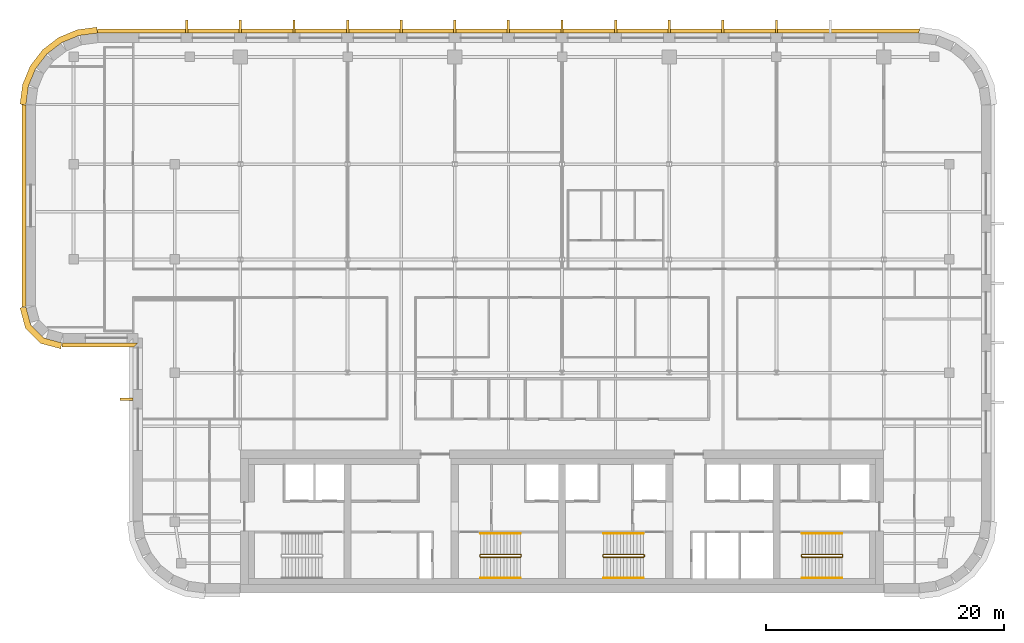
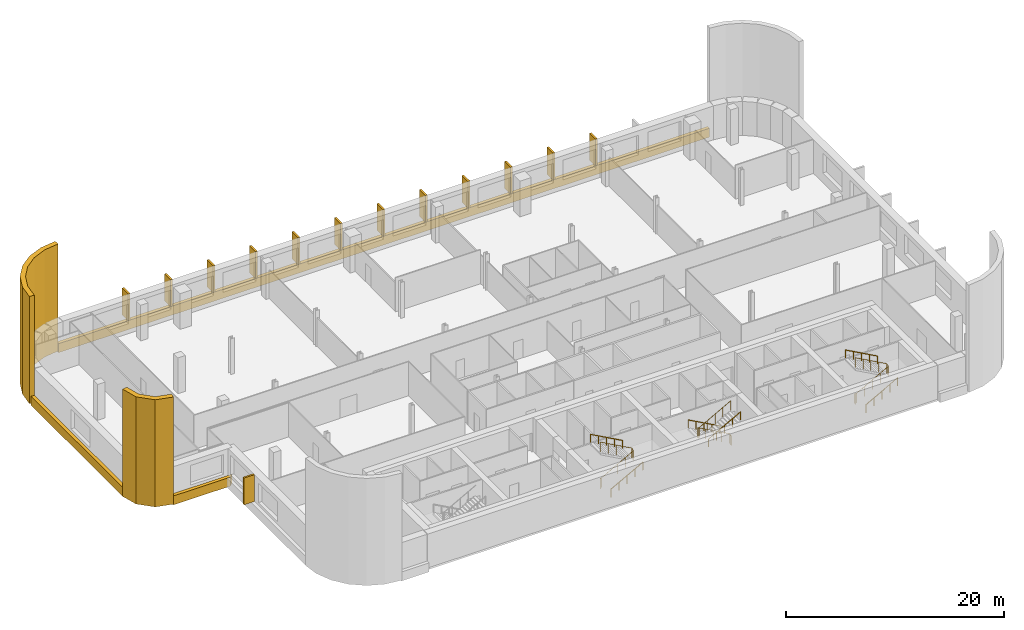
# One storey, part 14 of 16: 18 coverings, 9 railings.
"""IFC4 building model written with IfcOpenShell, lengths in metres."""

from ifc_helpers import new_model, si_unit, direction, frame, origin, origin_2d, place, context, subcontext, project, spatial, polyline, circle, outline, extrude, material, layer, layer_set, type_object, element, save


model = new_model("IFC4")

# Units and contexts
model_context = context("Model", 3, precision=1e-05, world=origin(), true_north=direction((0.0, 1.0)))
body_context = subcontext(model_context, "Body", "Model", "MODEL_VIEW")
ifc_project = project(units=[si_unit("LENGTHUNIT", "METRE"), si_unit("AREAUNIT", "SQUARE_METRE"), si_unit("VOLUMEUNIT", "CUBIC_METRE"), si_unit("PLANEANGLEUNIT", "RADIAN"), si_unit("MASSUNIT", "GRAM", prefix="KILO")], contexts=[model_context])

# Site, building, storey
site_placement = place(None, origin())
site = spatial("IfcSite", under=ifc_project, at=site_placement, CompositionType="ELEMENT")
building_placement = place(site_placement, origin())
building = spatial("IfcBuilding", under=site, at=building_placement, Name="Zellij Exchange Tower", CompositionType="ELEMENT")
storey_placement = place(building_placement, frame((0.0, 0.0, 244.5)))
storey = spatial("IfcBuildingStorey", under=building, at=storey_placement, Name="L57", CompositionType="ELEMENT", Elevation=244.5)

# Railings
ifc_material_1 = material(Name="Stainless steel", Category="steel")
railing_type_1 = type_object("IfcRailingType", Name="CORE-RG stair guard", PredefinedType="GUARDRAIL", material=ifc_material_1)
railing_1_placement = place(storey_placement, frame((-6.89990234375, -10.949951171875, 0.0)))
element("IfcRailing", 1, at=railing_1_placement, inside=storey, type_object=railing_type_1, Name="ST2 stair guard L57", PredefinedType="GUARDRAIL", context=body_context, shape_type="SweptSolid", body=[
    extrude(circle(Radius=0.02392578125, at=origin_2d()), frame((0.0, 0.0, 1.076171875), z_axis=(0.0, 1.0, 0.0), x_axis=(-1.0, 0.0, 0.0)), (0.0, 0.0, 1.0), 0.14990234375),
    extrude(circle(Radius=0.02392578125, at=origin_2d()), frame((0.0, 0.14990234375, 1.076171875), z_axis=(0.193691321961, -0.777613689637, 0.598164376644), x_axis=(0.970351222016, 0.241699205484, 0.0)), (0.0, 0.0, 1.0), 0.257080078125),
    extrude(circle(Radius=0.02392578125, at=origin_2d()), frame((0.0498046875, -0.050048828125, 1.22998046875), z_axis=(0.876421534553, 0.0, 0.481544695509), x_axis=(0.0, 1.0, 0.0)), (0.0, 0.0, 1.0), 3.833984375),
    extrude(circle(Radius=0.02392578125, at=origin_2d()), frame((3.409912109375, -0.050048828125, 3.076171875), z_axis=(0.707106781187, 0.707106781187, 0.0), x_axis=(-0.707106781187, 0.707106781187, 0.0)), (0.0, 0.0, 1.0), 0.07080078125),
    extrude(circle(Radius=0.02392578125, at=origin_2d()), frame((3.4599609375, 0.0, 3.076171875), z_axis=(0.0, 1.0, 0.0), x_axis=(-1.0, 0.0, 0.0)), (0.0, 0.0, 1.0), 0.14990234375),
    extrude(circle(Radius=0.02392578125, at=origin_2d()), frame((3.4599609375, 0.14990234375, 3.076171875), z_axis=(-0.295599637079, 0.295599637079, 0.908428152975), x_axis=(-0.707106781187, -0.707106781187, 0.0)), (0.0, 0.0, 1.0), 0.16943359375),
    extrude(circle(Radius=0.02392578125, at=origin_2d()), frame((3.409912109375, 0.199951171875, 3.22998046875), z_axis=(-0.876421534553, 0.0, 0.481544695509), x_axis=(0.0, -1.0, 0.0)), (0.0, 0.0, 1.0), 3.833984375),
    extrude(circle(Radius=0.02099609375, at=origin_2d()), origin(), (0.0, 0.0, 1.0), 1.052001953125),
    extrude(circle(Radius=0.02099609375, at=origin_2d()), frame((0.0, 0.14990234375, 0.0)), (0.0, 0.0, 1.0), 1.052001953125),
    extrude(circle(Radius=0.02099609375, at=origin_2d()), frame((0.0498046875, -0.050048828125, 0.15380859375)), (0.0, 0.0, 1.0), 1.052001953125),
    extrude(circle(Radius=0.02099609375, at=origin_2d()), frame((0.889892578125, -0.050048828125, 0.615234375)), (0.0, 0.0, 1.0), 1.052001953125),
    extrude(circle(Radius=0.02099609375, at=origin_2d()), frame((1.72998046875, -0.050048828125, 1.076904296875)), (0.0, 0.0, 1.0), 1.052001953125),
    extrude(circle(Radius=0.02099609375, at=origin_2d()), frame((2.56982421875, -0.050048828125, 1.53857421875)), (0.0, 0.0, 1.0), 1.052001953125),
    extrude(circle(Radius=0.02099609375, at=origin_2d()), frame((3.409912109375, -0.050048828125, 2.0)), (0.0, 0.0, 1.0), 1.052001953125),
    extrude(circle(Radius=0.02099609375, at=origin_2d()), frame((3.4599609375, 0.0, 2.0)), (0.0, 0.0, 1.0), 1.052001953125),
    extrude(circle(Radius=0.02099609375, at=origin_2d()), frame((3.4599609375, 0.14990234375, 2.0)), (0.0, 0.0, 1.0), 1.052001953125),
    extrude(circle(Radius=0.02099609375, at=origin_2d()), frame((3.409912109375, 0.199951171875, 2.15380859375)), (0.0, 0.0, 1.0), 1.052001953125),
    extrude(circle(Radius=0.02099609375, at=origin_2d()), frame((2.56982421875, 0.199951171875, 2.615234375)), (0.0, 0.0, 1.0), 1.052001953125),
    extrude(circle(Radius=0.02099609375, at=origin_2d()), frame((1.72998046875, 0.199951171875, 3.076904296875)), (0.0, 0.0, 1.0), 1.052001953125),
    extrude(circle(Radius=0.02099609375, at=origin_2d()), frame((0.889892578125, 0.199951171875, 3.53857421875)), (0.0, 0.0, 1.0), 1.052001953125),
    extrude(circle(Radius=0.02099609375, at=origin_2d()), frame((0.0498046875, 0.199951171875, 4.0)), (0.0, 0.0, 1.0), 1.052001953125),
])
railing_2_placement = place(storey_placement, frame((6.89990234375, -10.800048828125, 0.0)))
element("IfcRailing", 2, at=railing_2_placement, inside=storey, type_object=railing_type_1, Name="ST3 stair guard L57", PredefinedType="GUARDRAIL", context=body_context, shape_type="SweptSolid", body=[
    extrude(circle(Radius=0.02392578125, at=origin_2d()), frame((0.0, 0.0, 1.076171875), z_axis=(0.0, -1.0, 0.0), x_axis=(1.0, 0.0, 0.0)), (0.0, 0.0, 1.0), 0.14990234375),
    extrude(circle(Radius=0.02392578125, at=origin_2d()), frame((0.0, -0.14990234375, 1.076171875), z_axis=(-0.193691321961, 0.777613689637, 0.598164376644), x_axis=(-0.970351222016, -0.241699205484, 0.0)), (0.0, 0.0, 1.0), 0.257080078125),
    extrude(circle(Radius=0.02392578125, at=origin_2d()), frame((-0.0498046875, 0.050048828125, 1.22998046875), z_axis=(-0.876421534553, 0.0, 0.481544695509), x_axis=(0.0, -1.0, 0.0)), (0.0, 0.0, 1.0), 3.833984375),
    extrude(circle(Radius=0.02392578125, at=origin_2d()), frame((-3.409912109375, 0.050048828125, 3.076171875), z_axis=(-0.707106781187, -0.707106781187, 0.0), x_axis=(0.707106781187, -0.707106781187, 0.0)), (0.0, 0.0, 1.0), 0.07080078125),
    extrude(circle(Radius=0.02392578125, at=origin_2d()), frame((-3.4599609375, 0.0, 3.076171875), z_axis=(0.0, -1.0, 0.0), x_axis=(1.0, 0.0, 0.0)), (0.0, 0.0, 1.0), 0.14990234375),
    extrude(circle(Radius=0.02392578125, at=origin_2d()), frame((-3.4599609375, -0.14990234375, 3.076171875), z_axis=(0.295599637079, -0.295599637079, 0.908428152975), x_axis=(0.707106781187, 0.707106781187, 0.0)), (0.0, 0.0, 1.0), 0.16943359375),
    extrude(circle(Radius=0.02392578125, at=origin_2d()), frame((-3.409912109375, -0.199951171875, 3.22998046875), z_axis=(0.876421534553, 0.0, 0.481544695509), x_axis=(0.0, 1.0, 0.0)), (0.0, 0.0, 1.0), 3.833984375),
    extrude(circle(Radius=0.02099609375, at=origin_2d()), origin(), (0.0, 0.0, 1.0), 1.052001953125),
    extrude(circle(Radius=0.02099609375, at=origin_2d()), frame((0.0, -0.14990234375, 0.0)), (0.0, 0.0, 1.0), 1.052001953125),
    extrude(circle(Radius=0.02099609375, at=origin_2d()), frame((-0.0498046875, 0.050048828125, 0.15380859375)), (0.0, 0.0, 1.0), 1.052001953125),
    extrude(circle(Radius=0.02099609375, at=origin_2d()), frame((-0.889892578125, 0.050048828125, 0.615234375)), (0.0, 0.0, 1.0), 1.052001953125),
    extrude(circle(Radius=0.02099609375, at=origin_2d()), frame((-1.72998046875, 0.050048828125, 1.076904296875)), (0.0, 0.0, 1.0), 1.052001953125),
    extrude(circle(Radius=0.02099609375, at=origin_2d()), frame((-2.56982421875, 0.050048828125, 1.53857421875)), (0.0, 0.0, 1.0), 1.052001953125),
    extrude(circle(Radius=0.02099609375, at=origin_2d()), frame((-3.409912109375, 0.050048828125, 2.0)), (0.0, 0.0, 1.0), 1.052001953125),
    extrude(circle(Radius=0.02099609375, at=origin_2d()), frame((-3.4599609375, 0.0, 2.0)), (0.0, 0.0, 1.0), 1.052001953125),
    extrude(circle(Radius=0.02099609375, at=origin_2d()), frame((-3.4599609375, -0.14990234375, 2.0)), (0.0, 0.0, 1.0), 1.052001953125),
    extrude(circle(Radius=0.02099609375, at=origin_2d()), frame((-3.409912109375, -0.199951171875, 2.15380859375)), (0.0, 0.0, 1.0), 1.052001953125),
    extrude(circle(Radius=0.02099609375, at=origin_2d()), frame((-2.56982421875, -0.199951171875, 2.615234375)), (0.0, 0.0, 1.0), 1.052001953125),
    extrude(circle(Radius=0.02099609375, at=origin_2d()), frame((-1.72998046875, -0.199951171875, 3.076904296875)), (0.0, 0.0, 1.0), 1.052001953125),
    extrude(circle(Radius=0.02099609375, at=origin_2d()), frame((-0.889892578125, -0.199951171875, 3.53857421875)), (0.0, 0.0, 1.0), 1.052001953125),
    extrude(circle(Radius=0.02099609375, at=origin_2d()), frame((-0.0498046875, -0.199951171875, 4.0)), (0.0, 0.0, 1.0), 1.052001953125),
])
railing_3_placement = place(storey_placement, frame((20.10009765625, -10.949951171875, 0.0)))
element("IfcRailing", 3, at=railing_3_placement, inside=storey, type_object=railing_type_1, Name="ST4 stair guard L57", PredefinedType="GUARDRAIL", context=body_context, shape_type="SweptSolid", body=[
    extrude(circle(Radius=0.02392578125, at=origin_2d()), frame((0.0, 0.0, 1.076171875), z_axis=(0.0, 1.0, 0.0), x_axis=(-1.0, 0.0, 0.0)), (0.0, 0.0, 1.0), 0.14990234375),
    extrude(circle(Radius=0.02392578125, at=origin_2d()), frame((0.0, 0.14990234375, 1.076171875), z_axis=(0.193691321961, -0.777613689637, 0.598164376644), x_axis=(0.970351222016, 0.241699205484, 0.0)), (0.0, 0.0, 1.0), 0.257080078125),
    extrude(circle(Radius=0.02392578125, at=origin_2d()), frame((0.0498046875, -0.050048828125, 1.22998046875), z_axis=(0.876421534553, 0.0, 0.481544695509), x_axis=(0.0, 1.0, 0.0)), (0.0, 0.0, 1.0), 3.833984375),
    extrude(circle(Radius=0.02392578125, at=origin_2d()), frame((3.409912109375, -0.050048828125, 3.076171875), z_axis=(0.707106781187, 0.707106781187, 0.0), x_axis=(-0.707106781187, 0.707106781187, 0.0)), (0.0, 0.0, 1.0), 0.07080078125),
    extrude(circle(Radius=0.02392578125, at=origin_2d()), frame((3.4599609375, 0.0, 3.076171875), z_axis=(0.0, 1.0, 0.0), x_axis=(-1.0, 0.0, 0.0)), (0.0, 0.0, 1.0), 0.14990234375),
    extrude(circle(Radius=0.02392578125, at=origin_2d()), frame((3.4599609375, 0.14990234375, 3.076171875), z_axis=(-0.295599637079, 0.295599637079, 0.908428152975), x_axis=(-0.707106781187, -0.707106781187, 0.0)), (0.0, 0.0, 1.0), 0.16943359375),
    extrude(circle(Radius=0.02392578125, at=origin_2d()), frame((3.409912109375, 0.199951171875, 3.22998046875), z_axis=(-0.876421534553, 0.0, 0.481544695509), x_axis=(0.0, -1.0, 0.0)), (0.0, 0.0, 1.0), 3.833984375),
    extrude(circle(Radius=0.02099609375, at=origin_2d()), origin(), (0.0, 0.0, 1.0), 1.052001953125),
    extrude(circle(Radius=0.02099609375, at=origin_2d()), frame((0.0, 0.14990234375, 0.0)), (0.0, 0.0, 1.0), 1.052001953125),
    extrude(circle(Radius=0.02099609375, at=origin_2d()), frame((0.0498046875, -0.050048828125, 0.15380859375)), (0.0, 0.0, 1.0), 1.052001953125),
    extrude(circle(Radius=0.02099609375, at=origin_2d()), frame((0.889892578125, -0.050048828125, 0.615234375)), (0.0, 0.0, 1.0), 1.052001953125),
    extrude(circle(Radius=0.02099609375, at=origin_2d()), frame((1.72998046875, -0.050048828125, 1.076904296875)), (0.0, 0.0, 1.0), 1.052001953125),
    extrude(circle(Radius=0.02099609375, at=origin_2d()), frame((2.56982421875, -0.050048828125, 1.53857421875)), (0.0, 0.0, 1.0), 1.052001953125),
    extrude(circle(Radius=0.02099609375, at=origin_2d()), frame((3.409912109375, -0.050048828125, 2.0)), (0.0, 0.0, 1.0), 1.052001953125),
    extrude(circle(Radius=0.02099609375, at=origin_2d()), frame((3.4599609375, 0.0, 2.0)), (0.0, 0.0, 1.0), 1.052001953125),
    extrude(circle(Radius=0.02099609375, at=origin_2d()), frame((3.4599609375, 0.14990234375, 2.0)), (0.0, 0.0, 1.0), 1.052001953125),
    extrude(circle(Radius=0.02099609375, at=origin_2d()), frame((3.409912109375, 0.199951171875, 2.15380859375)), (0.0, 0.0, 1.0), 1.052001953125),
    extrude(circle(Radius=0.02099609375, at=origin_2d()), frame((2.56982421875, 0.199951171875, 2.615234375)), (0.0, 0.0, 1.0), 1.052001953125),
    extrude(circle(Radius=0.02099609375, at=origin_2d()), frame((1.72998046875, 0.199951171875, 3.076904296875)), (0.0, 0.0, 1.0), 1.052001953125),
    extrude(circle(Radius=0.02099609375, at=origin_2d()), frame((0.889892578125, 0.199951171875, 3.53857421875)), (0.0, 0.0, 1.0), 1.052001953125),
    extrude(circle(Radius=0.02099609375, at=origin_2d()), frame((0.0498046875, 0.199951171875, 4.0)), (0.0, 0.0, 1.0), 1.052001953125),
])
railing_type_2 = type_object("IfcRailingType", Name="CORE-RH stair handrail", PredefinedType="HANDRAIL", material=ifc_material_1)
railing_4_placement = place(storey_placement, frame((-6.85009765625, -12.75, 0.15380859375)))
element("IfcRailing", 4, at=railing_4_placement, inside=storey, type_object=railing_type_2, Name="ST2 stair handrail L57", PredefinedType="HANDRAIL", context=body_context, shape_type="SweptSolid", body=[
    extrude(circle(Radius=0.02392578125, at=origin_2d()), frame((0.0, 0.0, 0.8759765625), z_axis=(0.876421534553, 0.0, 0.481544695509), x_axis=(0.0, 1.0, 0.0)), (0.0, 0.0, 1.0), 3.833984375),
    extrude(circle(Radius=0.02099609375, at=origin_2d()), origin(), (0.0, 0.0, 1.0), 0.851806640625),
    extrude(circle(Radius=0.02099609375, at=origin_2d()), frame((0.840087890625, 0.0, 0.46142578125)), (0.0, 0.0, 1.0), 0.851806640625),
    extrude(circle(Radius=0.02099609375, at=origin_2d()), frame((1.68017578125, 0.0, 0.923095703125)), (0.0, 0.0, 1.0), 0.851806640625),
    extrude(circle(Radius=0.02099609375, at=origin_2d()), frame((2.52001953125, 0.0, 1.384765625)), (0.0, 0.0, 1.0), 0.851806640625),
    extrude(circle(Radius=0.02099609375, at=origin_2d()), frame((3.360107421875, 0.0, 1.84619140625)), (0.0, 0.0, 1.0), 0.851806640625),
])
for number, where, name in (
    (5, (-3.489990234375, -9.0, 2.15380859375), "ST2 stair handrail L57"),
    (6, (6.85009765625, -9.0, 0.15380859375), "ST3 stair handrail L57"),
):
    element("IfcRailing", number, at=place(storey_placement, frame(where)), inside=storey, type_object=railing_type_2, Name=name, PredefinedType="HANDRAIL", context=body_context, shape_type="SweptSolid", body=[
        extrude(circle(Radius=0.02392578125, at=origin_2d()), frame((0.0, 0.0, 0.8759765625), z_axis=(-0.876421534553, 0.0, 0.481544695509), x_axis=(0.0, -1.0, 0.0)), (0.0, 0.0, 1.0), 3.833984375),
        extrude(circle(Radius=0.02099609375, at=origin_2d()), origin(), (0.0, 0.0, 1.0), 0.851806640625),
        extrude(circle(Radius=0.02099609375, at=origin_2d()), frame((-0.840087890625, 0.0, 0.46142578125)), (0.0, 0.0, 1.0), 0.851806640625),
        extrude(circle(Radius=0.02099609375, at=origin_2d()), frame((-1.68017578125, 0.0, 0.923095703125)), (0.0, 0.0, 1.0), 0.851806640625),
        extrude(circle(Radius=0.02099609375, at=origin_2d()), frame((-2.52001953125, 0.0, 1.384765625)), (0.0, 0.0, 1.0), 0.851806640625),
        extrude(circle(Radius=0.02099609375, at=origin_2d()), frame((-3.360107421875, 0.0, 1.84619140625)), (0.0, 0.0, 1.0), 0.851806640625),
    ])
for number, where, name in (
    (7, (3.489990234375, -12.75, 2.15380859375), "ST3 stair handrail L57"),
    (8, (20.14990234375, -12.75, 0.15380859375), "ST4 stair handrail L57"),
):
    element("IfcRailing", number, at=place(storey_placement, frame(where)), inside=storey, type_object=railing_type_2, Name=name, PredefinedType="HANDRAIL", context=body_context, shape_type="SweptSolid", body=[
        extrude(circle(Radius=0.02392578125, at=origin_2d()), frame((0.0, 0.0, 0.8759765625), z_axis=(0.876421534553, 0.0, 0.481544695509), x_axis=(0.0, 1.0, 0.0)), (0.0, 0.0, 1.0), 3.833984375),
        extrude(circle(Radius=0.02099609375, at=origin_2d()), origin(), (0.0, 0.0, 1.0), 0.851806640625),
        extrude(circle(Radius=0.02099609375, at=origin_2d()), frame((0.840087890625, 0.0, 0.46142578125)), (0.0, 0.0, 1.0), 0.851806640625),
        extrude(circle(Radius=0.02099609375, at=origin_2d()), frame((1.68017578125, 0.0, 0.923095703125)), (0.0, 0.0, 1.0), 0.851806640625),
        extrude(circle(Radius=0.02099609375, at=origin_2d()), frame((2.52001953125, 0.0, 1.384765625)), (0.0, 0.0, 1.0), 0.851806640625),
        extrude(circle(Radius=0.02099609375, at=origin_2d()), frame((3.360107421875, 0.0, 1.84619140625)), (0.0, 0.0, 1.0), 0.851806640625),
    ])
railing_5_placement = place(storey_placement, frame((23.510009765625, -9.0, 2.15380859375)))
element("IfcRailing", 9, at=railing_5_placement, inside=storey, type_object=railing_type_2, Name="ST4 stair handrail L57", PredefinedType="HANDRAIL", context=body_context, shape_type="SweptSolid", body=[
    extrude(circle(Radius=0.02392578125, at=origin_2d()), frame((0.0, 0.0, 0.8759765625), z_axis=(-0.876421534553, 0.0, 0.481544695509), x_axis=(0.0, -1.0, 0.0)), (0.0, 0.0, 1.0), 3.833984375),
    extrude(circle(Radius=0.02099609375, at=origin_2d()), origin(), (0.0, 0.0, 1.0), 0.851806640625),
    extrude(circle(Radius=0.02099609375, at=origin_2d()), frame((-0.840087890625, 0.0, 0.46142578125)), (0.0, 0.0, 1.0), 0.851806640625),
    extrude(circle(Radius=0.02099609375, at=origin_2d()), frame((-1.68017578125, 0.0, 0.923095703125)), (0.0, 0.0, 1.0), 0.851806640625),
    extrude(circle(Radius=0.02099609375, at=origin_2d()), frame((-2.52001953125, 0.0, 1.384765625)), (0.0, 0.0, 1.0), 0.851806640625),
    extrude(circle(Radius=0.02099609375, at=origin_2d()), frame((-3.360107421875, 0.0, 1.84619140625)), (0.0, 0.0, 1.0), 0.851806640625),
])

# Coverings
ifc_material_2 = material(Name="Limestone cladding", Category="masonry")
ifc_layer_1 = layer(ifc_material_2, 0.35009765625)
ifc_layer_set_1 = layer_set([ifc_layer_1], Name="Limestone cladding")
covering_type_1 = type_object("IfcCoveringType", Name="ENV-CV10 Stone spandrel band 350", PredefinedType="CLADDING", material=ifc_layer_set_1)
covering_1_placement = place(storey_placement, frame((0.0, 0.0, -0.199951171875)))
element("IfcCovering", 10, at=covering_1_placement, inside=storey, type_object=covering_type_1, Name="Stone spandrel band", PredefinedType="CLADDING", context=body_context, shape_type="SweptSolid", body=[
    extrude(outline(polyline([(29.973876953125, 33.0), (-38.973876953125, 33.0), (-38.99658203125, 33.35009765625), (29.99658203125, 33.35009765625), (29.973876953125, 33.0)])), origin(), (0.0, 0.0, 1.0), 1.0),
])
covering_2_placement = place(storey_placement, frame((0.0, 0.0, -0.199951171875)))
element("IfcCovering", 11, at=covering_2_placement, inside=storey, type_object=covering_type_1, Name="Stone spandrel band", PredefinedType="CLADDING", context=body_context, shape_type="SweptSolid", body=[
    extrude(outline(polyline([(-45.0, 26.973876953125), (-45.0, 10.052734375), (-45.35009765625, 10.006591796875), (-45.35009765625, 26.99658203125), (-45.0, 26.973876953125)])), origin(), (0.0, 0.0, 1.0), 1.0),
])
covering_3_placement = place(storey_placement, frame((0.0, 0.0, -0.199951171875)))
element("IfcCovering", 12, at=covering_3_placement, inside=storey, type_object=covering_type_1, Name="Stone spandrel band", PredefinedType="CLADDING", context=body_context, shape_type="SweptSolid", body=[
    extrude(outline(polyline([(-41.947265625, 7.0), (-35.60009765625, 7.0), (-35.949951171875, 6.64990234375), (-41.993408203125, 6.64990234375), (-41.947265625, 7.0)])), origin(), (0.0, 0.0, 1.0), 1.0),
])
ifc_layer_2 = layer(ifc_material_2, 0.5)
ifc_layer_set_2 = layer_set([ifc_layer_2], Name="Limestone cladding")
covering_type_2 = type_object("IfcCoveringType", Name="ENV-CV12 Stone corner pier 500", PredefinedType="CLADDING", material=ifc_layer_set_2)
covering_4_placement = place(storey_placement, origin())
element("IfcCovering", 13, at=covering_4_placement, inside=storey, type_object=covering_type_2, Name="Stone corner pier", PredefinedType="CLADDING", context=body_context, shape_type="SweptSolid", body=[
    extrude(outline(polyline([(-39.0, 33.0), (-40.552978515625, 32.795654296875), (-42.0, 32.1962890625), (-43.24267578125, 31.24267578125), (-44.1962890625, 30.0), (-44.795654296875, 28.552978515625), (-45.0, 27.0), (-45.5, 27.03271484375), (-45.28271484375, 28.683349609375), (-44.6328125, 30.252197265625), (-43.59912109375, 31.59912109375), (-42.252197265625, 32.6328125), (-40.683349609375, 33.28271484375), (-39.03271484375, 33.5), (-39.0, 33.0)])), origin(), (0.0, 0.0, 1.0), 12.0),
])
covering_5_placement = place(storey_placement, origin())
element("IfcCovering", 14, at=covering_5_placement, inside=storey, type_object=covering_type_2, Name="Stone corner pier", PredefinedType="CLADDING", context=body_context, shape_type="SweptSolid", body=[
    extrude(outline(polyline([(-45.0, 10.0), (-44.59814453125, 8.5), (-43.5, 7.40185546875), (-42.0, 7.0), (-42.06591796875, 6.5), (-43.7587890625, 6.95361328125), (-45.04638671875, 8.2412109375), (-45.5, 9.93408203125), (-45.0, 10.0)])), origin(), (0.0, 0.0, 1.0), 12.0),
])
covering_type_3 = type_object("IfcCoveringType", Name="ENV-CV6 Stone pier 200x1100", PredefinedType="CLADDING", material=ifc_material_2)
covering_6_placement = place(storey_placement, frame((0.0, 0.0, 0.800048828125)))
element("IfcCovering", 15, at=covering_6_placement, inside=storey, type_object=covering_type_3, Name="Stone pier", PredefinedType="CLADDING", context=body_context, shape_type="SweptSolid", body=[
    extrude(outline(polyline([(18.10009765625, 33.0), (17.89990234375, 33.0), (17.89990234375, 34.10009765625), (18.10009765625, 34.10009765625), (18.10009765625, 33.0)])), origin(), (0.0, 0.0, 1.0), 3.0),
])
covering_7_placement = place(storey_placement, frame((0.0, 0.0, 0.800048828125)))
element("IfcCovering", 16, at=covering_7_placement, inside=storey, type_object=covering_type_3, Name="Stone pier", PredefinedType="CLADDING", context=body_context, shape_type="SweptSolid", body=[
    extrude(outline(polyline([(13.60009765625, 33.0), (13.39990234375, 33.0), (13.39990234375, 34.10009765625), (13.60009765625, 34.10009765625), (13.60009765625, 33.0)])), origin(), (0.0, 0.0, 1.0), 3.0),
])
covering_8_placement = place(storey_placement, frame((0.0, 0.0, 0.800048828125)))
element("IfcCovering", 17, at=covering_8_placement, inside=storey, type_object=covering_type_3, Name="Stone pier", PredefinedType="CLADDING", context=body_context, shape_type="SweptSolid", body=[
    extrude(outline(polyline([(9.10009765625, 33.0), (8.89990234375, 33.0), (8.89990234375, 34.10009765625), (9.10009765625, 34.10009765625), (9.10009765625, 33.0)])), origin(), (0.0, 0.0, 1.0), 3.0),
])
covering_9_placement = place(storey_placement, frame((0.0, 0.0, 0.800048828125)))
element("IfcCovering", 18, at=covering_9_placement, inside=storey, type_object=covering_type_3, Name="Stone pier", PredefinedType="CLADDING", context=body_context, shape_type="SweptSolid", body=[
    extrude(outline(polyline([(4.60009765625, 33.0), (4.39990234375, 33.0), (4.39990234375, 34.10009765625), (4.60009765625, 34.10009765625), (4.60009765625, 33.0)])), origin(), (0.0, 0.0, 1.0), 3.0),
])
covering_10_placement = place(storey_placement, frame((0.0, 0.0, 0.800048828125)))
element("IfcCovering", 19, at=covering_10_placement, inside=storey, type_object=covering_type_3, Name="Stone pier", PredefinedType="CLADDING", context=body_context, shape_type="SweptSolid", body=[
    extrude(outline(polyline([(0.10009765625, 33.0), (-0.10009765625, 33.0), (-0.10009765625, 34.10009765625), (0.10009765625, 34.10009765625), (0.10009765625, 33.0)])), origin(), (0.0, 0.0, 1.0), 3.0),
])
covering_11_placement = place(storey_placement, frame((0.0, 0.0, 0.800048828125)))
element("IfcCovering", 20, at=covering_11_placement, inside=storey, type_object=covering_type_3, Name="Stone pier", PredefinedType="CLADDING", context=body_context, shape_type="SweptSolid", body=[
    extrude(outline(polyline([(-4.39990234375, 33.0), (-4.60009765625, 33.0), (-4.60009765625, 34.10009765625), (-4.39990234375, 34.10009765625), (-4.39990234375, 33.0)])), origin(), (0.0, 0.0, 1.0), 3.0),
])
covering_12_placement = place(storey_placement, frame((0.0, 0.0, 0.800048828125)))
element("IfcCovering", 21, at=covering_12_placement, inside=storey, type_object=covering_type_3, Name="Stone pier", PredefinedType="CLADDING", context=body_context, shape_type="SweptSolid", body=[
    extrude(outline(polyline([(-8.89990234375, 33.0), (-9.10009765625, 33.0), (-9.10009765625, 34.10009765625), (-8.89990234375, 34.10009765625), (-8.89990234375, 33.0)])), origin(), (0.0, 0.0, 1.0), 3.0),
])
covering_13_placement = place(storey_placement, frame((0.0, 0.0, 0.800048828125)))
element("IfcCovering", 22, at=covering_13_placement, inside=storey, type_object=covering_type_3, Name="Stone pier", PredefinedType="CLADDING", context=body_context, shape_type="SweptSolid", body=[
    extrude(outline(polyline([(-13.39990234375, 33.0), (-13.60009765625, 33.0), (-13.60009765625, 34.10009765625), (-13.39990234375, 34.10009765625), (-13.39990234375, 33.0)])), origin(), (0.0, 0.0, 1.0), 3.0),
])
covering_14_placement = place(storey_placement, frame((0.0, 0.0, 0.800048828125)))
element("IfcCovering", 23, at=covering_14_placement, inside=storey, type_object=covering_type_3, Name="Stone pier", PredefinedType="CLADDING", context=body_context, shape_type="SweptSolid", body=[
    extrude(outline(polyline([(-17.89990234375, 33.0), (-18.10009765625, 33.0), (-18.10009765625, 34.10009765625), (-17.89990234375, 34.10009765625), (-17.89990234375, 33.0)])), origin(), (0.0, 0.0, 1.0), 3.0),
])
covering_15_placement = place(storey_placement, frame((0.0, 0.0, 0.800048828125)))
element("IfcCovering", 24, at=covering_15_placement, inside=storey, type_object=covering_type_3, Name="Stone pier", PredefinedType="CLADDING", context=body_context, shape_type="SweptSolid", body=[
    extrude(outline(polyline([(-22.39990234375, 33.0), (-22.60009765625, 33.0), (-22.60009765625, 34.10009765625), (-22.39990234375, 34.10009765625), (-22.39990234375, 33.0)])), origin(), (0.0, 0.0, 1.0), 3.0),
])
covering_16_placement = place(storey_placement, frame((0.0, 0.0, 0.800048828125)))
element("IfcCovering", 25, at=covering_16_placement, inside=storey, type_object=covering_type_3, Name="Stone pier", PredefinedType="CLADDING", context=body_context, shape_type="SweptSolid", body=[
    extrude(outline(polyline([(-26.89990234375, 33.0), (-27.10009765625, 33.0), (-27.10009765625, 34.10009765625), (-26.89990234375, 34.10009765625), (-26.89990234375, 33.0)])), origin(), (0.0, 0.0, 1.0), 3.0),
])
covering_17_placement = place(storey_placement, frame((0.0, 0.0, 0.800048828125)))
element("IfcCovering", 26, at=covering_17_placement, inside=storey, type_object=covering_type_3, Name="Stone pier", PredefinedType="CLADDING", context=body_context, shape_type="SweptSolid", body=[
    extrude(outline(polyline([(-31.39990234375, 33.0), (-31.60009765625, 33.0), (-31.60009765625, 34.10009765625), (-31.39990234375, 34.10009765625), (-31.39990234375, 33.0)])), origin(), (0.0, 0.0, 1.0), 3.0),
])
covering_18_placement = place(storey_placement, frame((0.0, 0.0, 0.800048828125)))
element("IfcCovering", 27, at=covering_18_placement, inside=storey, type_object=covering_type_3, Name="Stone pier", PredefinedType="CLADDING", context=body_context, shape_type="SweptSolid", body=[
    extrude(outline(polyline([(-36.0, 2.37548828125), (-36.0, 2.17529296875), (-37.10009765625, 2.17529296875), (-37.10009765625, 2.37548828125), (-36.0, 2.37548828125)])), origin(), (0.0, 0.0, 1.0), 3.0),
])

save(model, "model.ifc")
